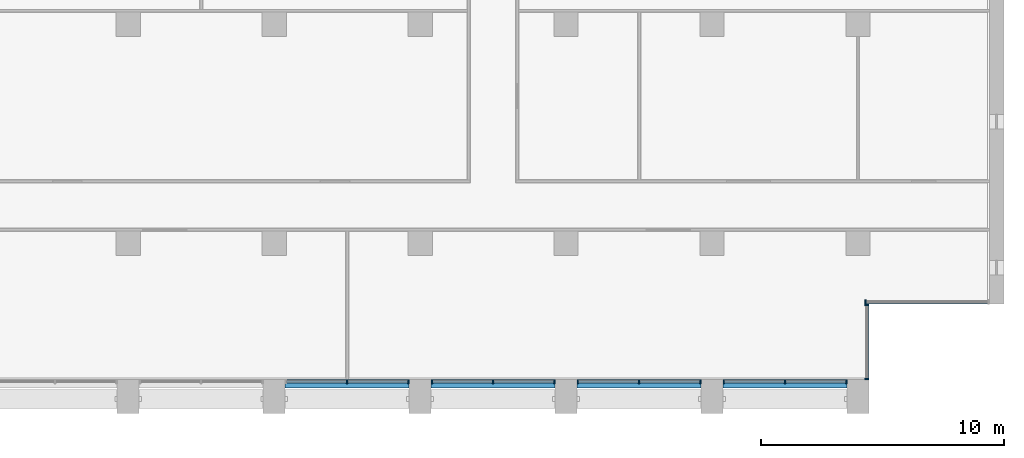
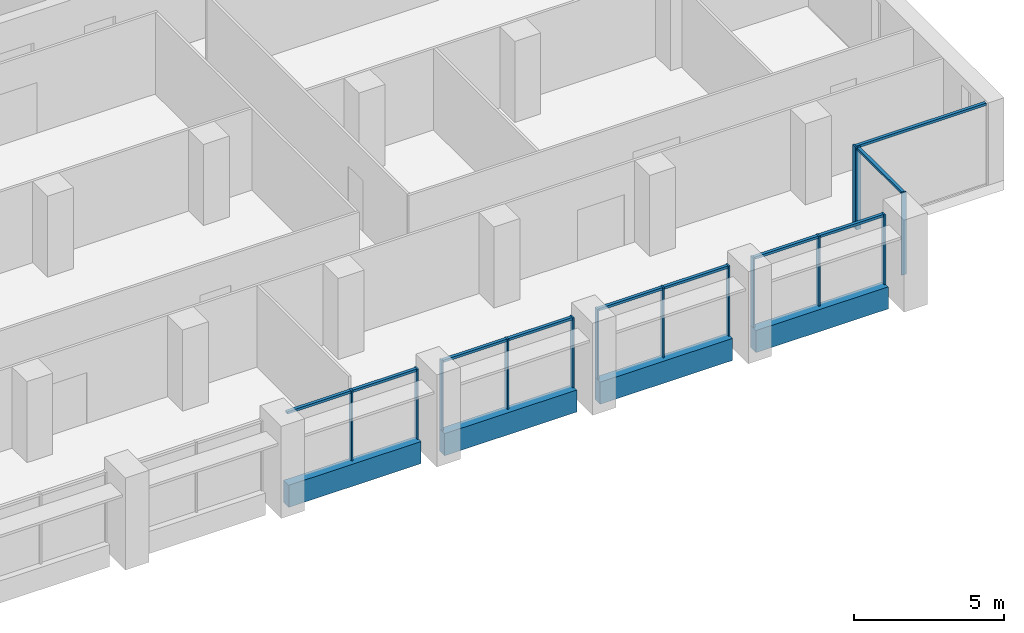
# One storey, part 3 of 17: 24 members, 4 beams, 6 elements without a shape of their own.
"""IFC4 building model written with IfcOpenShell, lengths in metres."""

from ifc_helpers import new_model, si_unit, direction, frame, origin, origin_2d, place, context, subcontext, project, spatial, rectangle, extrude, material, material_profile, profile_set, type_object, element, aggregate, save


model = new_model("IFC4")

# Units and contexts
model_context = context("Model", 3, precision=1e-05, world=origin(), true_north=direction((0.0, 1.0)))
body_context = subcontext(model_context, "Body", "Model", "MODEL_VIEW")
ifc_project = project(units=[si_unit("LENGTHUNIT", "METRE"), si_unit("AREAUNIT", "SQUARE_METRE"), si_unit("VOLUMEUNIT", "CUBIC_METRE"), si_unit("PLANEANGLEUNIT", "RADIAN"), si_unit("MASSUNIT", "GRAM", prefix="KILO")], contexts=[model_context])

# Site, building, storey
site_placement = place(None, origin())
site = spatial("IfcSite", under=ifc_project, at=site_placement, CompositionType="ELEMENT")
building_placement = place(site_placement, origin())
building = spatial("IfcBuilding", under=site, at=building_placement, Name="Calvaro Tower", CompositionType="ELEMENT")
storey_placement = place(building_placement, frame((0.0, 0.0, 215.5)))
storey = spatial("IfcBuildingStorey", under=building, at=storey_placement, Name="L54", CompositionType="ELEMENT", Elevation=215.5)

# Curtain wall, members
ifc_material_1 = material(Name="Anodised aluminium", Category="aluminium")
curtain_wall_type = type_object("IfcCurtainWallType", Name="Office curtain wall, upper zone", PredefinedType="NOTDEFINED", material=ifc_material_1)
curtain_wall_1_placement = place(storey_placement, origin())
curtain_wall_1 = element("IfcCurtainWall", 1, at=curtain_wall_1_placement, inside=storey, type_object=curtain_wall_type, Name="CW3 south curtain wall", PredefinedType="NOTDEFINED")
ifc_material_2 = material(Name="Anodised aluminium", Category="aluminium")
ifc_material_profile_1 = material_profile(ifc_material_2, rectangle(XDim=0.179931640625, YDim=0.06005859375, at=origin_2d()), Name="Mullion S3 60 x 180")
ifc_profile_set_1 = profile_set([ifc_material_profile_1], Name="Anodised aluminium")
member_type_1 = type_object("IfcMemberType", Name="Mullion S3 60 x 180", PredefinedType="MULLION", material=ifc_profile_set_1)
member_1_placement = place(storey_placement, frame((45.0, 4.31005859375, 0.0), z_axis=(0.0, 0.0, 1.0), x_axis=(0.0, 1.0, 0.0)))
member_1 = element("IfcMember", 2, at=member_1_placement, type_object=member_type_1, Name="CW3 mullion 2", PredefinedType="MULLION", context=body_context, shape_type="SweptSolid", body=[
    extrude(rectangle(XDim=0.179931640625, YDim=0.06005859375, at=origin_2d()), origin(), (0.0, 0.0, 1.0), 2.85009765625),
])
member_2_placement = place(storey_placement, frame((47.52001953125, 4.31005859375, 0.0), z_axis=(0.0, 0.0, 1.0), x_axis=(0.0, 1.0, 0.0)))
member_2 = element("IfcMember", 3, at=member_2_placement, type_object=member_type_1, Name="CW3 mullion 3", PredefinedType="MULLION", context=body_context, shape_type="SweptSolid", body=[
    extrude(rectangle(XDim=0.179931640625, YDim=0.06005859375, at=origin_2d()), origin(), (0.0, 0.0, 1.0), 2.85009765625),
])

curtain_wall_2_placement = place(storey_placement, origin())
curtain_wall_2 = element("IfcCurtainWall", 4, at=curtain_wall_2_placement, inside=storey, type_object=curtain_wall_type, Name="CW3 south curtain wall", PredefinedType="NOTDEFINED")
member_3_placement = place(storey_placement, frame((48.47998046875, 4.31005859375, 0.0), z_axis=(0.0, 0.0, 1.0), x_axis=(0.0, 1.0, 0.0)))
member_3 = element("IfcMember", 5, at=member_3_placement, type_object=member_type_1, Name="CW3 mullion 1", PredefinedType="MULLION", context=body_context, shape_type="SweptSolid", body=[
    extrude(rectangle(XDim=0.179931640625, YDim=0.06005859375, at=origin_2d()), origin(), (0.0, 0.0, 1.0), 2.85009765625),
])
member_4_placement = place(storey_placement, frame((51.0, 4.31005859375, 0.0), z_axis=(0.0, 0.0, 1.0), x_axis=(0.0, 1.0, 0.0)))
member_4 = element("IfcMember", 6, at=member_4_placement, type_object=member_type_1, Name="CW3 mullion 2", PredefinedType="MULLION", context=body_context, shape_type="SweptSolid", body=[
    extrude(rectangle(XDim=0.179931640625, YDim=0.06005859375, at=origin_2d()), origin(), (0.0, 0.0, 1.0), 2.85009765625),
])
member_5_placement = place(storey_placement, frame((53.52001953125, 4.31005859375, 0.0), z_axis=(0.0, 0.0, 1.0), x_axis=(0.0, 1.0, 0.0)))
member_5 = element("IfcMember", 7, at=member_5_placement, type_object=member_type_1, Name="CW3 mullion 3", PredefinedType="MULLION", context=body_context, shape_type="SweptSolid", body=[
    extrude(rectangle(XDim=0.179931640625, YDim=0.06005859375, at=origin_2d()), origin(), (0.0, 0.0, 1.0), 2.85009765625),
])

curtain_wall_3_placement = place(storey_placement, origin())
curtain_wall_3 = element("IfcCurtainWall", 8, at=curtain_wall_3_placement, inside=storey, type_object=curtain_wall_type, Name="CW3 south curtain wall", PredefinedType="NOTDEFINED")
member_6_placement = place(storey_placement, frame((54.47998046875, 4.31005859375, 0.0), z_axis=(0.0, 0.0, 1.0), x_axis=(0.0, 1.0, 0.0)))
member_6 = element("IfcMember", 9, at=member_6_placement, type_object=member_type_1, Name="CW3 mullion 1", PredefinedType="MULLION", context=body_context, shape_type="SweptSolid", body=[
    extrude(rectangle(XDim=0.179931640625, YDim=0.06005859375, at=origin_2d()), origin(), (0.0, 0.0, 1.0), 2.85009765625),
])
member_7_placement = place(storey_placement, frame((57.0, 4.31005859375, 0.0), z_axis=(0.0, 0.0, 1.0), x_axis=(0.0, 1.0, 0.0)))
member_7 = element("IfcMember", 10, at=member_7_placement, type_object=member_type_1, Name="CW3 mullion 2", PredefinedType="MULLION", context=body_context, shape_type="SweptSolid", body=[
    extrude(rectangle(XDim=0.179931640625, YDim=0.06005859375, at=origin_2d()), origin(), (0.0, 0.0, 1.0), 2.85009765625),
])
member_8_placement = place(storey_placement, frame((59.52001953125, 4.31005859375, 0.0), z_axis=(0.0, 0.0, 1.0), x_axis=(0.0, 1.0, 0.0)))
member_8 = element("IfcMember", 11, at=member_8_placement, type_object=member_type_1, Name="CW3 mullion 3", PredefinedType="MULLION", context=body_context, shape_type="SweptSolid", body=[
    extrude(rectangle(XDim=0.179931640625, YDim=0.06005859375, at=origin_2d()), origin(), (0.0, 0.0, 1.0), 2.85009765625),
])

curtain_wall_4_placement = place(storey_placement, origin())
curtain_wall_4 = element("IfcCurtainWall", 12, at=curtain_wall_4_placement, inside=storey, type_object=curtain_wall_type, Name="CW3 south curtain wall", PredefinedType="NOTDEFINED")
member_9_placement = place(storey_placement, frame((60.47998046875, 4.31005859375, 0.0), z_axis=(0.0, 0.0, 1.0), x_axis=(0.0, 1.0, 0.0)))
member_9 = element("IfcMember", 13, at=member_9_placement, type_object=member_type_1, Name="CW3 mullion 1", PredefinedType="MULLION", context=body_context, shape_type="SweptSolid", body=[
    extrude(rectangle(XDim=0.179931640625, YDim=0.06005859375, at=origin_2d()), origin(), (0.0, 0.0, 1.0), 2.85009765625),
])
member_10_placement = place(storey_placement, frame((63.0, 4.31005859375, 0.0), z_axis=(0.0, 0.0, 1.0), x_axis=(0.0, 1.0, 0.0)))
member_10 = element("IfcMember", 14, at=member_10_placement, type_object=member_type_1, Name="CW3 mullion 2", PredefinedType="MULLION", context=body_context, shape_type="SweptSolid", body=[
    extrude(rectangle(XDim=0.179931640625, YDim=0.06005859375, at=origin_2d()), origin(), (0.0, 0.0, 1.0), 2.85009765625),
])
member_11_placement = place(storey_placement, frame((65.52001953125, 4.31005859375, 0.0), z_axis=(0.0, 0.0, 1.0), x_axis=(0.0, 1.0, 0.0)))
member_11 = element("IfcMember", 15, at=member_11_placement, type_object=member_type_1, Name="CW3 mullion 3", PredefinedType="MULLION", context=body_context, shape_type="SweptSolid", body=[
    extrude(rectangle(XDim=0.179931640625, YDim=0.06005859375, at=origin_2d()), origin(), (0.0, 0.0, 1.0), 2.85009765625),
])

curtain_wall_5_placement = place(storey_placement, origin())
curtain_wall_5 = element("IfcCurtainWall", 16, at=curtain_wall_5_placement, inside=storey, type_object=curtain_wall_type, Name="CW3 corner curtain wall", PredefinedType="NOTDEFINED")
member_12_placement = place(storey_placement, frame((66.360107421875, 4.429931640625, 0.0), z_axis=(0.0, 0.0, 1.0), x_axis=(-1.0, 0.0, 0.0)))
member_12 = element("IfcMember", 17, at=member_12_placement, type_object=member_type_1, Name="CW3 mullion 1", PredefinedType="MULLION", context=body_context, shape_type="SweptSolid", body=[
    extrude(rectangle(XDim=0.179931640625, YDim=0.06005859375, at=origin_2d()), origin(), (0.0, 0.0, 1.0), 3.35009765625),
])
member_13_placement = place(storey_placement, frame((66.360107421875, 7.469970703125, 0.0), z_axis=(0.0, 0.0, 1.0), x_axis=(-1.0, 0.0, 0.0)))
member_13 = element("IfcMember", 18, at=member_13_placement, type_object=member_type_1, Name="CW3 mullion 2", PredefinedType="MULLION", context=body_context, shape_type="SweptSolid", body=[
    extrude(rectangle(XDim=0.179931640625, YDim=0.06005859375, at=origin_2d()), origin(), (0.0, 0.0, 1.0), 3.35009765625),
])

# Curtain wall, member
curtain_wall_6_placement = place(storey_placement, origin())
curtain_wall_6 = element("IfcCurtainWall", 19, at=curtain_wall_6_placement, inside=storey, type_object=curtain_wall_type, Name="CW3 corner curtain wall", PredefinedType="NOTDEFINED")
member_14_placement = place(storey_placement, frame((66.300048828125, 7.590087890625, 0.0), z_axis=(0.0, 0.0, 1.0), x_axis=(0.0, 1.0, 0.0)))
member_14 = element("IfcMember", 20, at=member_14_placement, type_object=member_type_1, Name="CW3 mullion 1", PredefinedType="MULLION", context=body_context, shape_type="SweptSolid", body=[
    extrude(rectangle(XDim=0.179931640625, YDim=0.06005859375, at=origin_2d()), origin(), (0.0, 0.0, 1.0), 3.35009765625),
])

# Beams
ifc_material_3 = material(Name="Concrete C50/60 precast", Category="concrete")
ifc_material_profile_2 = material_profile(ifc_material_3, rectangle(XDim=0.35009765625, YDim=0.89990234375, at=origin_2d()), Name="RC 350x900")
ifc_profile_set_2 = profile_set([ifc_material_profile_2], Name="Concrete C50/60 precast")
beam_type = type_object("IfcBeamType", Name="Spandrel beam 350x900 C50/60", PredefinedType="SPANDREL", material=ifc_profile_set_2)
for number, where, z_axis, x_axis, name in (
    (21, (42.449951171875, 4.22509765625, -0.449951171875), (1.0, 0.0, 0.0), (0.0, 1.0, 0.0), "Spandrel beam"),
    (22, (48.449951171875, 4.22509765625, -0.449951171875), (1.0, 0.0, 0.0), (0.0, 1.0, 0.0), "Spandrel beam"),
    (23, (54.449951171875, 4.22509765625, -0.449951171875), (1.0, 0.0, 0.0), (0.0, 1.0, 0.0), "Spandrel beam"),
    (24, (60.449951171875, 4.22509765625, -0.449951171875), (1.0, 0.0, 0.0), (0.0, 1.0, 0.0), "Spandrel beam"),
):
    element("IfcBeam", number, at=place(storey_placement, frame(where, z_axis=z_axis, x_axis=x_axis)), inside=storey, type_object=beam_type, Name=name, PredefinedType="SPANDREL", context=body_context, shape_type="SweptSolid", body=[
        extrude(rectangle(XDim=0.35009765625, YDim=0.89990234375, at=origin_2d()), origin(), (0.0, 0.0, 1.0), 5.10009765625),
    ])

# Member
ifc_material_4 = material(Name="Anodised aluminium", Category="aluminium")
ifc_material_profile_3 = material_profile(ifc_material_4, rectangle(XDim=0.1201171875, YDim=0.10009765625, at=origin_2d()), Name="Transom S3 100 x 120")
ifc_profile_set_3 = profile_set([ifc_material_profile_3], Name="Anodised aluminium")
member_type_2 = type_object("IfcMemberType", Name="Transom S3 100 x 120", PredefinedType="USERDEFINED", material=ifc_profile_set_3)
member_15_placement = place(storey_placement, frame((42.510009765625, 4.31005859375, 2.800048828125), z_axis=(1.0, 0.0, 0.0), x_axis=(0.0, 1.0, 0.0)))
member_15 = element("IfcMember", 25, at=member_15_placement, type_object=member_type_2, Name="CW3 transom 1.1", ObjectType="TRANSOM", PredefinedType="USERDEFINED", context=body_context, shape_type="SweptSolid", body=[
    extrude(rectangle(XDim=0.1201171875, YDim=0.10009765625, at=origin_2d()), origin(), (0.0, 0.0, 1.0), 2.4599609375),
])

member_16_placement = place(storey_placement, frame((45.030029296875, 4.31005859375, 2.800048828125), z_axis=(1.0, 0.0, 0.0), x_axis=(0.0, 1.0, 0.0)))
member_16 = element("IfcMember", 26, at=member_16_placement, type_object=member_type_2, Name="CW3 transom 2.1", ObjectType="TRANSOM", PredefinedType="USERDEFINED", context=body_context, shape_type="SweptSolid", body=[
    extrude(rectangle(XDim=0.1201171875, YDim=0.10009765625, at=origin_2d()), origin(), (0.0, 0.0, 1.0), 2.4599609375),
])

aggregate(curtain_wall_1, [member_1, member_2, member_15, member_16])

member_17_placement = place(storey_placement, frame((48.510009765625, 4.31005859375, 2.800048828125), z_axis=(1.0, 0.0, 0.0), x_axis=(0.0, 1.0, 0.0)))
member_17 = element("IfcMember", 27, at=member_17_placement, type_object=member_type_2, Name="CW3 transom 1.1", ObjectType="TRANSOM", PredefinedType="USERDEFINED", context=body_context, shape_type="SweptSolid", body=[
    extrude(rectangle(XDim=0.1201171875, YDim=0.10009765625, at=origin_2d()), origin(), (0.0, 0.0, 1.0), 2.4599609375),
])

member_18_placement = place(storey_placement, frame((51.030029296875, 4.31005859375, 2.800048828125), z_axis=(1.0, 0.0, 0.0), x_axis=(0.0, 1.0, 0.0)))
member_18 = element("IfcMember", 28, at=member_18_placement, type_object=member_type_2, Name="CW3 transom 2.1", ObjectType="TRANSOM", PredefinedType="USERDEFINED", context=body_context, shape_type="SweptSolid", body=[
    extrude(rectangle(XDim=0.1201171875, YDim=0.10009765625, at=origin_2d()), origin(), (0.0, 0.0, 1.0), 2.4599609375),
])

aggregate(curtain_wall_2, [member_3, member_4, member_5, member_17, member_18])

member_19_placement = place(storey_placement, frame((54.510009765625, 4.31005859375, 2.800048828125), z_axis=(1.0, 0.0, 0.0), x_axis=(0.0, 1.0, 0.0)))
member_19 = element("IfcMember", 29, at=member_19_placement, type_object=member_type_2, Name="CW3 transom 1.1", ObjectType="TRANSOM", PredefinedType="USERDEFINED", context=body_context, shape_type="SweptSolid", body=[
    extrude(rectangle(XDim=0.1201171875, YDim=0.10009765625, at=origin_2d()), origin(), (0.0, 0.0, 1.0), 2.4599609375),
])

member_20_placement = place(storey_placement, frame((57.030029296875, 4.31005859375, 2.800048828125), z_axis=(1.0, 0.0, 0.0), x_axis=(0.0, 1.0, 0.0)))
member_20 = element("IfcMember", 30, at=member_20_placement, type_object=member_type_2, Name="CW3 transom 2.1", ObjectType="TRANSOM", PredefinedType="USERDEFINED", context=body_context, shape_type="SweptSolid", body=[
    extrude(rectangle(XDim=0.1201171875, YDim=0.10009765625, at=origin_2d()), origin(), (0.0, 0.0, 1.0), 2.4599609375),
])

aggregate(curtain_wall_3, [member_6, member_7, member_8, member_19, member_20])

member_21_placement = place(storey_placement, frame((60.510009765625, 4.31005859375, 2.800048828125), z_axis=(1.0, 0.0, 0.0), x_axis=(0.0, 1.0, 0.0)))
member_21 = element("IfcMember", 31, at=member_21_placement, type_object=member_type_2, Name="CW3 transom 1.1", ObjectType="TRANSOM", PredefinedType="USERDEFINED", context=body_context, shape_type="SweptSolid", body=[
    extrude(rectangle(XDim=0.1201171875, YDim=0.10009765625, at=origin_2d()), origin(), (0.0, 0.0, 1.0), 2.4599609375),
])

member_22_placement = place(storey_placement, frame((63.030029296875, 4.31005859375, 2.800048828125), z_axis=(1.0, 0.0, 0.0), x_axis=(0.0, 1.0, 0.0)))
member_22 = element("IfcMember", 32, at=member_22_placement, type_object=member_type_2, Name="CW3 transom 2.1", ObjectType="TRANSOM", PredefinedType="USERDEFINED", context=body_context, shape_type="SweptSolid", body=[
    extrude(rectangle(XDim=0.1201171875, YDim=0.10009765625, at=origin_2d()), origin(), (0.0, 0.0, 1.0), 2.4599609375),
])

aggregate(curtain_wall_4, [member_9, member_10, member_11, member_21, member_22])

member_23_placement = place(storey_placement, frame((66.360107421875, 4.4599609375, 3.300048828125), z_axis=(0.0, 1.0, 0.0), x_axis=(-1.0, 0.0, 0.0)))
member_23 = element("IfcMember", 33, at=member_23_placement, type_object=member_type_2, Name="CW3 transom 1.1", ObjectType="TRANSOM", PredefinedType="USERDEFINED", context=body_context, shape_type="SweptSolid", body=[
    extrude(rectangle(XDim=0.1201171875, YDim=0.10009765625, at=origin_2d()), origin(), (0.0, 0.0, 1.0), 2.97998046875),
])

aggregate(curtain_wall_5, [member_12, member_13, member_23])

member_24_placement = place(storey_placement, frame((66.330078125, 7.590087890625, 3.300048828125), z_axis=(1.0, 0.0, 0.0), x_axis=(0.0, 1.0, 0.0)))
member_24 = element("IfcMember", 34, at=member_24_placement, type_object=member_type_2, Name="CW3 transom 1.1", ObjectType="TRANSOM", PredefinedType="USERDEFINED", context=body_context, shape_type="SweptSolid", body=[
    extrude(rectangle(XDim=0.1201171875, YDim=0.10009765625, at=origin_2d()), origin(), (0.0, 0.0, 1.0), 5.010009765625),
])

aggregate(curtain_wall_6, [member_14, member_24])

save(model, "model.ifc")
